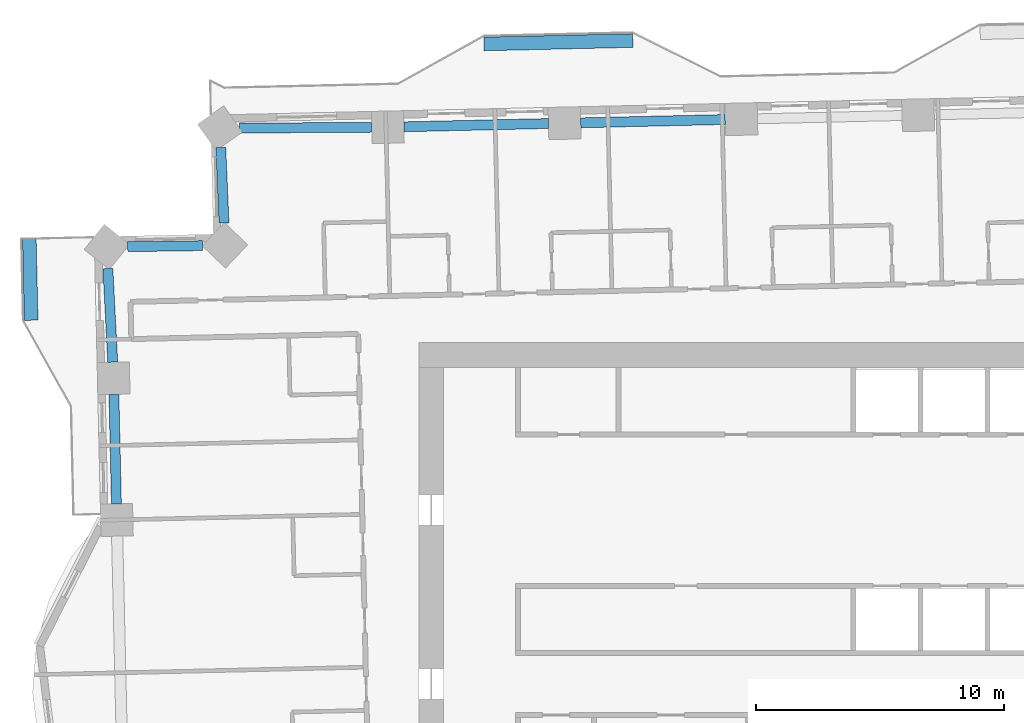
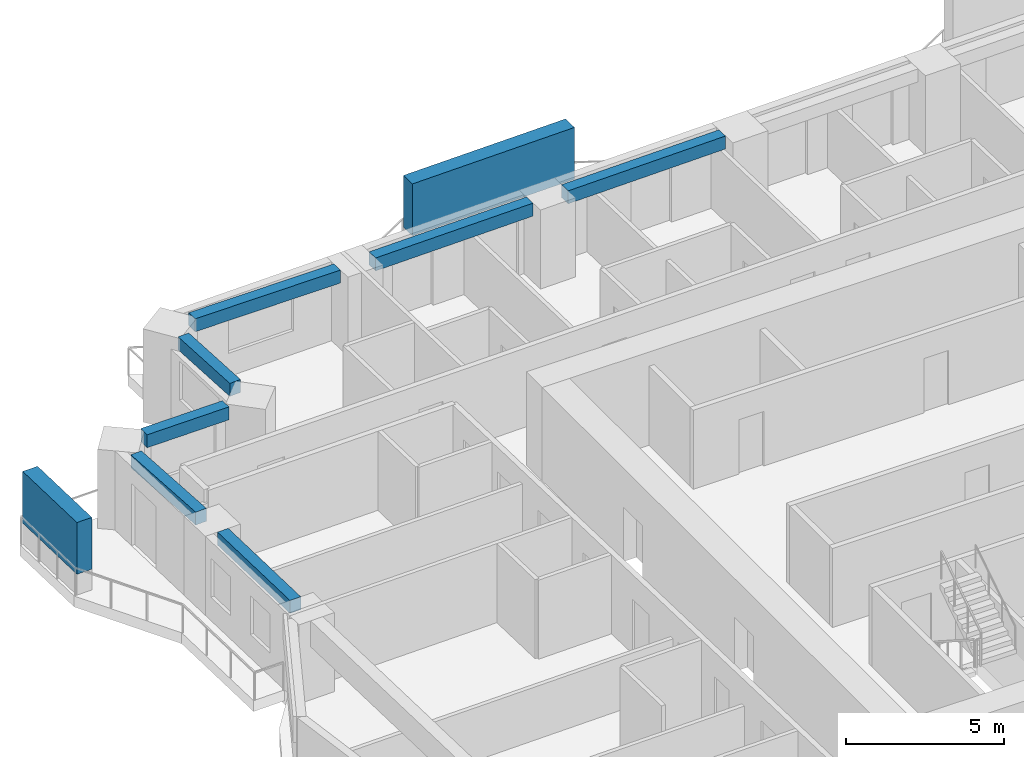
# One storey, part 3 of 16: 7 beams, 2 members.
"""IFC4 building model written with IfcOpenShell, lengths in metres."""

from ifc_helpers import new_model, si_unit, direction, frame, origin, origin_2d, place, context, subcontext, project, spatial, rectangle, extrude, material, material_profile, profile_set, type_object, element, save


model = new_model("IFC4")

# Units and contexts
model_context = context("Model", 3, precision=1e-05, world=origin(), true_north=direction((0.0, 1.0)))
body_context = subcontext(model_context, "Body", "Model", "MODEL_VIEW")
ifc_project = project(units=[si_unit("LENGTHUNIT", "METRE"), si_unit("AREAUNIT", "SQUARE_METRE"), si_unit("VOLUMEUNIT", "CUBIC_METRE"), si_unit("PLANEANGLEUNIT", "RADIAN"), si_unit("MASSUNIT", "GRAM", prefix="KILO")], contexts=[model_context])

# Site, building, storey
site_placement = place(None, origin())
site = spatial("IfcSite", under=ifc_project, at=site_placement, CompositionType="ELEMENT")
building_placement = place(site_placement, origin())
building = spatial("IfcBuilding", under=site, at=building_placement, Name="Mangrove Gate Tower", CompositionType="ELEMENT")
storey_placement = place(building_placement, frame((0.0, 0.0, 130.10009765625)))
storey = spatial("IfcBuildingStorey", under=building, at=storey_placement, Name="L32", CompositionType="ELEMENT", Elevation=130.10009765625)

# Members
ifc_material_1 = material(Name="Planting on aluminium trellis", Category="aluminium")
ifc_material_profile_1 = material_profile(ifc_material_1, rectangle(XDim=0.550048828125, YDim=2.0, at=origin_2d()))
ifc_profile_set_1 = profile_set([ifc_material_profile_1], Name="Planting on aluminium trellis")
member_type = type_object("IfcMemberType", Name="Balcony greenery screen 550x2000", PredefinedType="USERDEFINED", material=ifc_profile_set_1)
member_1_placement = place(storey_placement, frame((-12.180908203125, 23.8310546875, 1.7998046875), z_axis=(0.999739371644, 0.02282955947, 0.0), x_axis=(-0.02282955947, 0.999739371644, 0.0)))
element("IfcMember", 1, at=member_1_placement, inside=storey, type_object=member_type, Name="GREEN SCREEN L32 N1.1", ObjectType="PLANTING", PredefinedType="USERDEFINED", context=body_context, shape_type="SweptSolid", body=[
    extrude(rectangle(XDim=0.550048828125, YDim=2.0, at=origin_2d()), origin(), (0.0, 0.0, 1.0), 5.999267578125),
])
member_2_placement = place(storey_placement, frame((-30.419921875, 12.699951171875, 1.7998046875), z_axis=(-0.02278694782, 0.999740343794, 0.0), x_axis=(-0.999740343794, -0.02278694782, 0.0)))
element("IfcMember", 2, at=member_2_placement, inside=storey, type_object=member_type, Name="GREEN SCREEN L32 W0.1", ObjectType="PLANTING", PredefinedType="USERDEFINED", context=body_context, shape_type="SweptSolid", body=[
    extrude(rectangle(XDim=0.550048828125, YDim=2.0, at=origin_2d()), origin(), (0.0, 0.0, 1.0), 3.300048828125),
])

# Beams
ifc_material_2 = material(Name="Concrete C50/60", Category="concrete")
ifc_material_profile_2 = material_profile(ifc_material_2, rectangle(XDim=0.39990234375, YDim=0.5, at=origin_2d()))
ifc_profile_set_2 = profile_set([ifc_material_profile_2], Name="Concrete C50/60")
beam_type = type_object("IfcBeamType", Name="Edge beam RC 400x500 C50/60", PredefinedType="BEAM", material=ifc_profile_set_2)
beam_1_placement = place(storey_placement, frame((-2.458984375, 20.786376953125, 2.7998046875), z_axis=(-0.999741857186, -0.022720453126, 0.0), x_axis=(0.022720453126, -0.999741857186, 0.0)))
element("IfcBeam", 3, at=beam_1_placement, inside=storey, type_object=beam_type, Name="Edge beam L32 22", PredefinedType="BEAM", context=body_context, shape_type="SweptSolid", body=[
    extrude(rectangle(XDim=0.39990234375, YDim=0.5, at=origin_2d()), origin(), (0.0, 0.0, 1.0), 5.823974609375),
])
beam_2_placement = place(storey_placement, frame((-9.5810546875, 20.62451171875, 2.7998046875), z_axis=(-0.999744684453, -0.022595705507, 0.0), x_axis=(0.022595705507, -0.999744684453, 0.0)))
element("IfcBeam", 4, at=beam_2_placement, inside=storey, type_object=beam_type, Name="Edge beam L32 23", PredefinedType="BEAM", context=body_context, shape_type="SweptSolid", body=[
    extrude(rectangle(XDim=0.39990234375, YDim=0.5, at=origin_2d()), origin(), (0.0, 0.0, 1.0), 5.82373046875),
])
beam_3_placement = place(storey_placement, frame((-16.703369140625, 20.47412109375, 2.7998046875), z_axis=(-0.999979944176, -0.006333343995, 0.0), x_axis=(0.006333343995, -0.999979944176, 0.0)))
element("IfcBeam", 5, at=beam_3_placement, inside=storey, type_object=beam_type, Name="Edge beam L32 24", PredefinedType="BEAM", context=body_context, shape_type="SweptSolid", body=[
    extrude(rectangle(XDim=0.39990234375, YDim=0.5, at=origin_2d()), origin(), (0.0, 0.0, 1.0), 5.319580078125),
])
beam_4_placement = place(storey_placement, frame((-22.7822265625, 19.662841796875, 2.7998046875), z_axis=(0.04309999765, -0.999070763361, 0.0), x_axis=(0.999070763361, 0.04309999765, 0.0)))
element("IfcBeam", 6, at=beam_4_placement, inside=storey, type_object=beam_type, Name="Edge beam L32 25", PredefinedType="BEAM", context=body_context, shape_type="SweptSolid", body=[
    extrude(rectangle(XDim=0.39990234375, YDim=0.5, at=origin_2d()), origin(), (0.0, 0.0, 1.0), 3.047607421875),
])
beam_5_placement = place(storey_placement, frame((-23.523193359375, 15.705078125, 2.7998046875), z_axis=(-0.999902574754, -0.013958545805, 0.0), x_axis=(0.013958545805, -0.999902574754, 0.0)))
element("IfcBeam", 7, at=beam_5_placement, inside=storey, type_object=beam_type, Name="Edge beam L32 26", PredefinedType="BEAM", context=body_context, shape_type="SweptSolid", body=[
    extrude(rectangle(XDim=0.39990234375, YDim=0.5, at=origin_2d()), origin(), (0.0, 0.0, 1.0), 3.00830078125),
])
beam_6_placement = place(storey_placement, frame((-27.3291015625, 14.781982421875, 2.7998046875), z_axis=(0.05146940493, -0.998674571798, 0.0), x_axis=(0.998674571798, 0.05146940493, 0.0)))
element("IfcBeam", 8, at=beam_6_placement, inside=storey, type_object=beam_type, Name="Edge beam L32 27", PredefinedType="BEAM", context=body_context, shape_type="SweptSolid", body=[
    extrude(rectangle(XDim=0.39990234375, YDim=0.5, at=origin_2d()), origin(), (0.0, 0.0, 1.0), 3.775634765625),
])
beam_7_placement = place(storey_placement, frame((-27.08642578125, 9.7119140625, 2.7998046875), z_axis=(0.022745290406, -0.999741292417, 0.0), x_axis=(0.999741292417, 0.022745290406, 0.0)))
element("IfcBeam", 9, at=beam_7_placement, inside=storey, type_object=beam_type, Name="Edge beam L32 28", PredefinedType="BEAM", context=body_context, shape_type="SweptSolid", body=[
    extrude(rectangle(XDim=0.39990234375, YDim=0.5, at=origin_2d()), origin(), (0.0, 0.0, 1.0), 4.41162109375),
])

save(model, "model.ifc")
